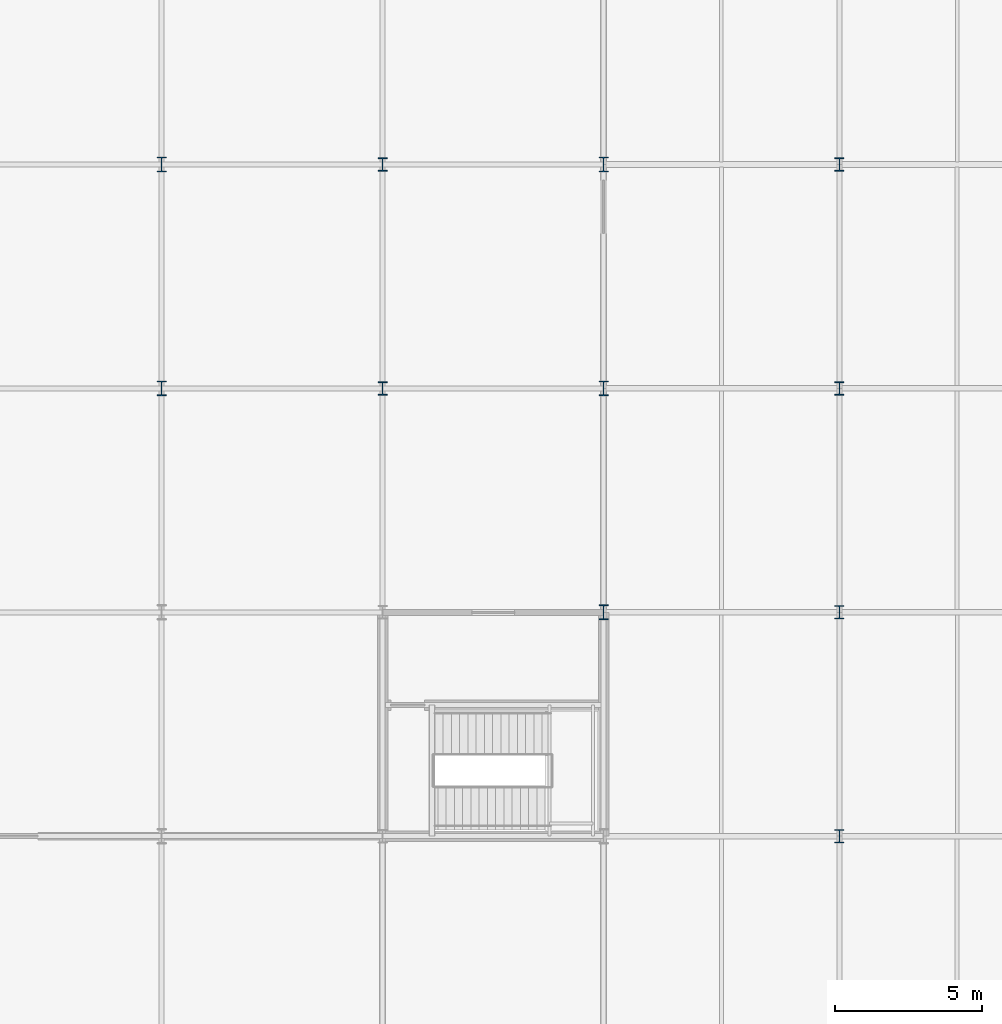
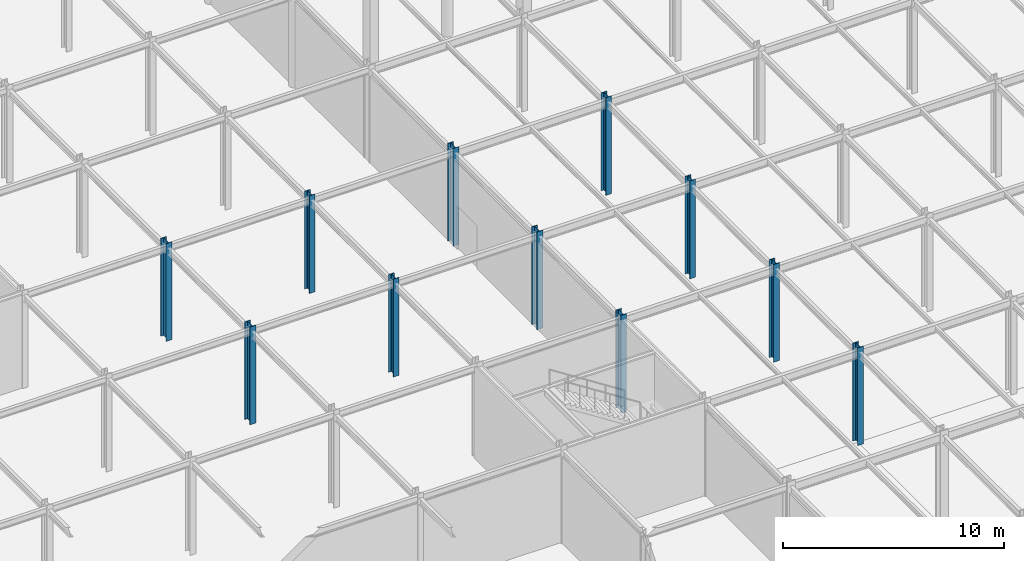
# One storey, part 10 of 89: 11 columns.
"""IFC4 building model written with IfcOpenShell, lengths in metres."""

from ifc_helpers import new_model, si_unit, direction, frame, origin, origin_2d, place, context, subcontext, project, spatial, i_section, extrude, material, material_profile, profile_set, type_object, element, save


model = new_model("IFC4")

# Units and contexts
model_context = context("Model", 3, precision=1e-05, world=origin(), true_north=direction((0.0, 1.0)))
body_context = subcontext(model_context, "Body", "Model", "MODEL_VIEW")
ifc_project = project(units=[si_unit("LENGTHUNIT", "METRE"), si_unit("AREAUNIT", "SQUARE_METRE"), si_unit("VOLUMEUNIT", "CUBIC_METRE"), si_unit("PLANEANGLEUNIT", "RADIAN"), si_unit("MASSUNIT", "GRAM", prefix="KILO")], contexts=[model_context])

# Site, building, storey
site_placement = place(None, origin())
site = spatial("IfcSite", under=ifc_project, at=site_placement, CompositionType="ELEMENT")
building_placement = place(site_placement, origin())
building = spatial("IfcBuilding", under=site, at=building_placement, Name="Shalkamar Park Central Library", CompositionType="ELEMENT")
storey_placement = place(building_placement, origin())
storey = spatial("IfcBuildingStorey", under=building, at=storey_placement, Name="L01", CompositionType="ELEMENT", Elevation=0.0)

# Columns
ifc_material = material(Name="Steel S355", Category="steel")
ifc_material_profile_1 = material_profile(ifc_material, i_section(OverallWidth=0.300048828125, OverallDepth=0.449951171875, WebThickness=0.013916015625, FlangeThickness=0.02587890625, FilletRadius=0.027099609375, at=origin_2d()), Name="HEB 450")
ifc_profile_set_1 = profile_set([ifc_material_profile_1], Name="Steel S355")
column_type_1 = type_object("IfcColumnType", Name="Column Steel HEB450", PredefinedType="COLUMN", material=ifc_profile_set_1)
for number, where, z_axis, x_axis, name in (
    (1, (157.5, 316.0, 0.0), (0.0, 0.0, 1.0), (1.0, 0.0, 0.0), "Column 06/L (L01)"),
    (2, (157.5, 323.60009765625, 0.0), (0.0, 0.0, 1.0), (1.0, 0.0, 0.0), "Column 06/M (L01)"),
    (3, (173.0, 300.800048828125, 0.0), (0.0, 0.0, 1.0), (1.0, 0.0, 0.0), "Column 08/J (L01)"),
    (4, (173.0, 308.39990234375, 0.0), (0.0, 0.0, 1.0), (1.0, 0.0, 0.0), "Column 08/K (L01)"),
    (5, (173.0, 316.0, 0.0), (0.0, 0.0, 1.0), (1.0, 0.0, 0.0), "Column 08/L (L01)"),
    (6, (173.0, 323.60009765625, 0.0), (0.0, 0.0, 1.0), (1.0, 0.0, 0.0), "Column 08/M (L01)"),
):
    element("IfcColumn", number, at=place(storey_placement, frame(where, z_axis=z_axis, x_axis=x_axis)), inside=storey, type_object=column_type_1, Name=name, PredefinedType="COLUMN", context=body_context, shape_type="SweptSolid", body=[
        extrude(i_section(OverallWidth=0.300048828125, OverallDepth=0.449951171875, WebThickness=0.013916015625, FlangeThickness=0.02587890625, FilletRadius=0.027099609375, at=origin_2d()), origin(), (0.0, 0.0, 1.0), 5.39990234375),
    ])
ifc_material_profile_2 = material_profile(ifc_material, i_section(OverallWidth=0.300048828125, OverallDepth=0.5, WebThickness=0.014404296875, FlangeThickness=0.028076171875, FilletRadius=0.027099609375, at=origin_2d()), Name="HEB 500")
ifc_profile_set_2 = profile_set([ifc_material_profile_2], Name="Steel S355")
column_type_2 = type_object("IfcColumnType", Name="Column Steel HEB500", PredefinedType="COLUMN", material=ifc_profile_set_2)
for number, where, z_axis, x_axis, name in (
    (7, (150.0, 316.0, 0.0), (0.0, 0.0, 1.0), (1.0, 0.0, 0.0), "Column 05/L (L01)"),
    (8, (150.0, 323.60009765625, 0.0), (0.0, 0.0, 1.0), (1.0, 0.0, 0.0), "Column 05/M (L01)"),
    (9, (165.0, 308.39990234375, 0.0), (0.0, 0.0, 1.0), (1.0, 0.0, 0.0), "Column 07/K (L01)"),
    (10, (165.0, 316.0, 0.0), (0.0, 0.0, 1.0), (1.0, 0.0, 0.0), "Column 07/L (L01)"),
    (11, (165.0, 323.60009765625, 0.0), (0.0, 0.0, 1.0), (1.0, 0.0, 0.0), "Column 07/M (L01)"),
):
    element("IfcColumn", number, at=place(storey_placement, frame(where, z_axis=z_axis, x_axis=x_axis)), inside=storey, type_object=column_type_2, Name=name, PredefinedType="COLUMN", context=body_context, shape_type="SweptSolid", body=[
        extrude(i_section(OverallWidth=0.300048828125, OverallDepth=0.5, WebThickness=0.014404296875, FlangeThickness=0.028076171875, FilletRadius=0.027099609375, at=origin_2d()), origin(), (0.0, 0.0, 1.0), 5.39990234375),
    ])

save(model, "model.ifc")
